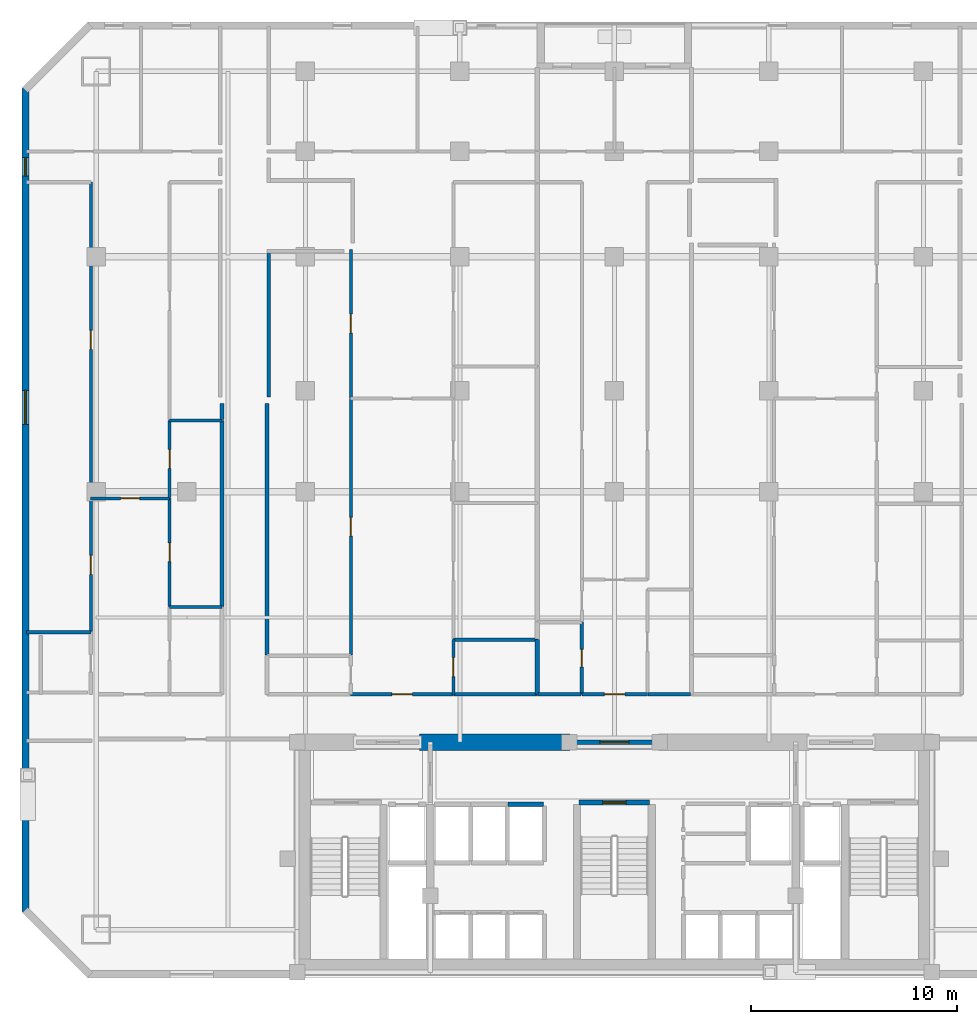
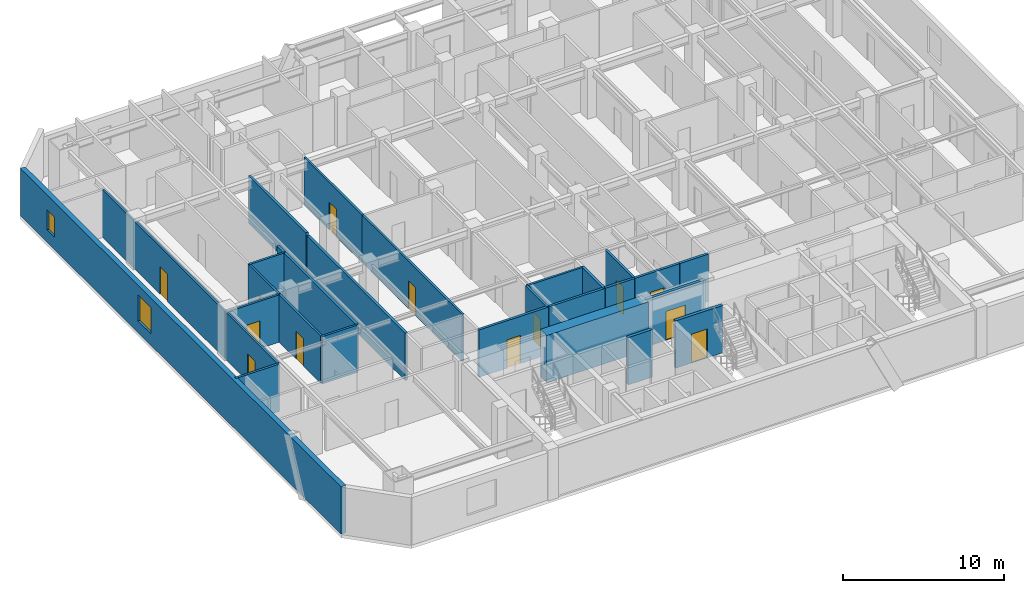
# One storey, part 4 of 10: 28 walls, 13 doors, 2 windows, 15 openings.
"""IFC4 building model written with IfcOpenShell, lengths in metres."""

from ifc_helpers import new_model, si_unit, direction, frame, frame_2d, origin, place, context, subcontext, project, spatial, rectangle, extrude, material, layer, layer_set, type_object, element, fill, save


model = new_model("IFC4")

# Units and contexts
model_context = context("Model", 3, precision=1e-05, world=origin(), true_north=direction((0.0, 1.0)))
body_context = subcontext(model_context, "Body", "Model", "MODEL_VIEW")
ifc_project = project(units=[si_unit("LENGTHUNIT", "METRE"), si_unit("AREAUNIT", "SQUARE_METRE"), si_unit("VOLUMEUNIT", "CUBIC_METRE"), si_unit("PLANEANGLEUNIT", "RADIAN"), si_unit("MASSUNIT", "GRAM", prefix="KILO")], contexts=[model_context])

# Site, building, storey
site_placement = place(None, origin())
site = spatial("IfcSite", under=ifc_project, at=site_placement, CompositionType="ELEMENT")
building_placement = place(site_placement, origin())
building = spatial("IfcBuilding", under=site, at=building_placement, Name="Ventersveld Concourse Tower", CompositionType="ELEMENT")
storey_placement = place(building_placement, frame((0.0, 0.0, 41.35009765625)))
storey = spatial("IfcBuildingStorey", under=building, at=storey_placement, Name="L09", CompositionType="ELEMENT", Elevation=41.35009765625)

# Walls
ifc_material_1 = material(Name="Concrete C60/75", Category="concrete")
ifc_layer_1 = layer(ifc_material_1, 0.800048828125)
ifc_layer_set_1 = layer_set([ifc_layer_1], Name="Concrete C60/75")
wall_type_1 = type_object("IfcWallType", Name="WL-CORE-800", PredefinedType="SHEAR", material=ifc_layer_set_1)
wall_1_placement = place(storey_placement, frame((19.300048828125, 11.449951171875, 0.0), z_axis=(0.0, 0.0, 1.0), x_axis=(1.0, 0.0, 0.0)))
element("IfcWall", 1, at=wall_1_placement, inside=storey, type_object=wall_type_1, Name="L09 Rear Core North Shear Wall NML", PredefinedType="SHEAR", context=body_context, shape_type="SweptSolid", body=[
    extrude(rectangle(XDim=7.300048828125, YDim=0.800048828125, at=frame_2d((3.64990234375, 0.0))), origin(), (0.0, 0.0, 1.0), 3.599853515625),
])
ifc_material_2 = material(Name="Fire-rated autoclaved aerated masonry blockwork", Category="masonry")
ifc_layer_2 = layer(ifc_material_2, 0.179931640625)
ifc_layer_set_2 = layer_set([ifc_layer_2], Name="Fire-rated autoclaved aerated masonry blockwork")
wall_type_2 = type_object("IfcWallType", Name="WL-CORR-180", PredefinedType="PARTITIONING", material=ifc_layer_set_2)
wall_2_placement = place(storey_placement, frame((9.7099609375, 18.04052734375, 0.0), z_axis=(0.0, 0.0, 1.0), x_axis=(0.0, 1.0, 0.0)))
element("IfcWall", 2, at=wall_2_placement, inside=storey, type_object=wall_type_2, Name="L09 Interior Partition SP-L09-COR-SP-L09-09NW-DENR", PredefinedType="PARTITIONING", context=body_context, shape_type="SweptSolid", body=[
    extrude(rectangle(XDim=9.024169921875, YDim=0.179931640625, at=frame_2d((4.51220703125, 0.0))), origin(), (0.0, 0.0, 1.0), 3.599853515625),
])
wall_3_placement = place(storey_placement, frame((9.7099609375, 27.0947265625, 0.0), z_axis=(0.0, 0.0, 1.0), x_axis=(0.0, 1.0, 0.0)))
element("IfcWall", 3, at=wall_3_placement, inside=storey, type_object=wall_type_2, Name="L09 Interior Partition SP-L09-COR-SP-L09-09NW-DENS", PredefinedType="PARTITIONING", context=body_context, shape_type="SweptSolid", body=[
    extrude(rectangle(XDim=0.80029296875, YDim=0.179931640625, at=frame_2d((0.400146484375, 0.0))), origin(), (0.0, 0.0, 1.0), 3.599853515625),
])

# Wall, opening, door
wall_4_placement = place(storey_placement, frame((15.955078125, 13.77001953125, 0.0), z_axis=(0.0, 0.0, 1.0), x_axis=(1.0, 0.0, 0.0)))
wall_4 = element("IfcWall", 4, at=wall_4_placement, inside=storey, type_object=wall_type_2, Name="L09 Interior Partition SP-L09-COR-SP-L09-09CW-FOY", PredefinedType="PARTITIONING", context=body_context, shape_type="SweptSolid", body=[
    extrude(rectangle(XDim=4.989990234375, YDim=0.179931640625, at=frame_2d((2.4951171875, 0.0))), origin(), (0.0, 0.0, 1.0), 3.599853515625),
])
opening_1_placement = place(wall_4_placement, frame((1.9951171875, 0.0, 0.0)))
opening_1 = element("IfcOpeningElement", 5, at=opening_1_placement, cuts=wall_4, Name="Opening FD3", PredefinedType="OPENING", context=body_context, shape_type="SweptSolid", body=[
    extrude(rectangle(XDim=1.0, YDim=2.14990234375, at=frame_2d((0.5, 1.074951171875))), frame((0.0, 0.10009765625, 0.0), z_axis=(0.0, -1.0, 0.0), x_axis=(1.0, 0.0, 0.0)), (0.0, 0.0, 1.0), 0.199951171875),
])
ifc_material_3 = material(Name="Solid-core hardwood veneer timber", Category="wood")
door_type_1 = type_object("IfcDoorType", Name="DR-FLAT-100", OperationType="NOTDEFINED", PredefinedType="DOOR", material=ifc_material_3)
door_1_placement = place(opening_1_placement, origin())
door_1 = element("IfcDoor", 6, at=door_1_placement, inside=storey, type_object=door_type_1, Name="L09 Interior Door SP-L09-COR to SP-L09-09CW-FOY (FD-L09-0310)", OperationType="SINGLE_SWING_RIGHT", OverallHeight=2.14990234375, OverallWidth=1.0, PredefinedType="DOOR", context=body_context, shape_type="SweptSolid", body=[
    extrude(rectangle(XDim=1.0, YDim=2.14990234375, at=frame_2d((0.5, 1.074951171875))), frame((0.0, 0.02490234375, 0.0), z_axis=(0.0, -1.0, 0.0), x_axis=(1.0, 0.0, 0.0)), (0.0, 0.0, 1.0), 0.050048828125),
])
fill(opening_1, door_1)

# Walls
wall_5_placement = place(storey_placement, frame((11.889892578125, 15.681640625, 0.0), z_axis=(0.0, 0.0, 1.0), x_axis=(0.0, 1.0, 0.0)))
element("IfcWall", 7, at=wall_5_placement, inside=storey, type_object=wall_type_2, Name="L09 Interior Partition SP-L09-COR-SP-L09-09CW-DENL", PredefinedType="PARTITIONING", context=body_context, shape_type="SweptSolid", body=[
    extrude(rectangle(XDim=12.21337890625, YDim=0.179931640625, at=frame_2d((6.106689453125, 0.0))), origin(), (0.0, 0.0, 1.0), 3.599853515625),
])
wall_6_placement = place(storey_placement, frame((20.97509765625, 13.77001953125, 0.0), z_axis=(0.0, 0.0, 1.0), x_axis=(1.0, 0.0, 0.0)))
element("IfcWall", 8, at=wall_6_placement, inside=storey, type_object=wall_type_2, Name="L09 Interior Partition SP-L09-COR-SP-L09-09CW-KIT", PredefinedType="PARTITIONING", context=body_context, shape_type="SweptSolid", body=[
    extrude(rectangle(XDim=4.039794921875, YDim=0.179931640625, at=frame_2d((2.02001953125, 0.0))), origin(), (0.0, 0.0, 1.0), 3.599853515625),
])

# Wall, opening, door
wall_7_placement = place(storey_placement, frame((27.171142578125, 13.77001953125, 0.0), z_axis=(0.0, 0.0, 1.0), x_axis=(1.0, 0.0, 0.0)))
wall_7 = element("IfcWall", 9, at=wall_7_placement, inside=storey, type_object=wall_type_2, Name="L09 Interior Partition SP-L09-COR-SP-L09-09CM-FOY", PredefinedType="PARTITIONING", context=body_context, shape_type="SweptSolid", body=[
    extrude(rectangle(XDim=3.18798828125, YDim=0.179931640625, at=frame_2d((1.593994140625, 0.0))), origin(), (0.0, 0.0, 1.0), 3.599853515625),
])
opening_2_placement = place(wall_7_placement, frame((1.093994140625, 0.0, 0.0)))
opening_2 = element("IfcOpeningElement", 10, at=opening_2_placement, cuts=wall_7, Name="Opening FD3", PredefinedType="OPENING", context=body_context, shape_type="SweptSolid", body=[
    extrude(rectangle(XDim=1.0, YDim=2.14990234375, at=frame_2d((0.5, 1.074951171875))), frame((0.0, 0.10009765625, 0.0), z_axis=(0.0, -1.0, 0.0), x_axis=(1.0, 0.0, 0.0)), (0.0, 0.0, 1.0), 0.199951171875),
])
door_2_placement = place(opening_2_placement, origin())
door_2 = element("IfcDoor", 11, at=door_2_placement, inside=storey, type_object=door_type_1, Name="L09 Interior Door SP-L09-COR to SP-L09-09CM-FOY (FD-L09-0312)", OperationType="SINGLE_SWING_RIGHT", OverallHeight=2.14990234375, OverallWidth=1.0, PredefinedType="DOOR", context=body_context, shape_type="SweptSolid", body=[
    extrude(rectangle(XDim=1.0, YDim=2.14990234375, at=frame_2d((0.5, 1.074951171875))), frame((0.0, 0.02490234375, 0.0), z_axis=(0.0, -1.0, 0.0), x_axis=(1.0, 0.0, 0.0)), (0.0, 0.0, 1.0), 0.050048828125),
])
fill(opening_2, door_2)

# Walls
wall_8_placement = place(storey_placement, frame((25.044921875, 13.77001953125, 0.0), z_axis=(0.0, 0.0, 1.0), x_axis=(1.0, 0.0, 0.0)))
element("IfcWall", 12, at=wall_8_placement, inside=storey, type_object=wall_type_2, Name="L09 Interior Partition SP-L09-COR-SP-L09-09CM-BATH", PredefinedType="PARTITIONING", context=body_context, shape_type="SweptSolid", body=[
    extrude(rectangle(XDim=2.09619140625, YDim=0.179931640625, at=frame_2d((1.048095703125, 0.0))), origin(), (0.0, 0.0, 1.0), 3.599853515625),
])
wall_9_placement = place(storey_placement, frame((30.38916015625, 13.77001953125, 0.0), z_axis=(0.0, 0.0, 1.0), x_axis=(1.0, 0.0, 0.0)))
element("IfcWall", 13, at=wall_9_placement, inside=storey, type_object=wall_type_2, Name="L09 Interior Partition SP-L09-COR-SP-L09-09CM-KIT", PredefinedType="PARTITIONING", context=body_context, shape_type="SweptSolid", body=[
    extrude(rectangle(XDim=2.06591796875, YDim=0.179931640625, at=frame_2d((1.032958984375, 0.0))), origin(), (0.0, 0.0, 1.0), 3.599853515625),
])
wall_10_placement = place(storey_placement, frame((11.97998046875, 28.2099609375, 0.0), z_axis=(0.0, 0.0, 1.0), x_axis=(0.0, 1.0, 0.0)))
element("IfcWall", 14, at=wall_10_placement, inside=storey, type_object=wall_type_2, Name="L09 Room Enclosure Wall SP-L09-09CW-DENL", PredefinedType="PARTITIONING", context=body_context, shape_type="SweptSolid", body=[
    extrude(rectangle(XDim=7.158935546875, YDim=0.179931640625, at=frame_2d((3.57958984375, 0.0))), origin(), (0.0, 0.0, 1.0), 3.599853515625),
])
ifc_layer_3 = layer(ifc_material_2, 0.199951171875)
ifc_layer_set_3 = layer_set([ifc_layer_3], Name="Fire-rated autoclaved aerated masonry blockwork")
wall_type_3 = type_object("IfcWallType", Name="WL-DEMISE-200", PredefinedType="PARTITIONING", material=ifc_layer_set_3)
wall_11_placement = place(storey_placement, frame((25.010009765625, 13.764892578125, 0.0), z_axis=(0.0, 0.0, 1.0), x_axis=(0.0, 1.0, 0.0)))
element("IfcWall", 15, at=wall_11_placement, inside=storey, type_object=wall_type_3, Name="L09 Interior Partition SP-L09-09CW-KIT-SP-L09-09CM-BATH", PredefinedType="PARTITIONING", context=body_context, shape_type="SweptSolid", body=[
    extrude(rectangle(XDim=2.657958984375, YDim=0.199951171875, at=frame_2d((1.3291015625, 0.0))), origin(), (0.0, 0.0, 1.0), 3.599853515625),
])
ifc_layer_4 = layer(ifc_material_2, 0.219970703125)
ifc_layer_set_4 = layer_set([ifc_layer_4], Name="Fire-rated autoclaved aerated masonry blockwork")
wall_type_4 = type_object("IfcWallType", Name="WL-HOIST-220", PredefinedType="SOLIDWALL", material=ifc_layer_set_4)
wall_12_placement = place(storey_placement, frame((23.580078125, 8.429931640625, 0.0), z_axis=(0.0, 0.0, 1.0), x_axis=(1.0, 0.0, 0.0)))
element("IfcWall", 16, at=wall_12_placement, inside=storey, type_object=wall_type_4, Name="L09 Lift Hoistway Front Wall PH-03", PredefinedType="SOLIDWALL", context=body_context, shape_type="SweptSolid", body=[
    extrude(rectangle(XDim=1.739990234375, YDim=0.219970703125, at=frame_2d((0.8701171875, 0.0))), origin(), (0.0, 0.0, 1.0), 3.599853515625),
])

# Wall, opening, door
wall_13_placement = place(storey_placement, frame((27.0400390625, 8.52001953125, 0.0), z_axis=(0.0, 0.0, 1.0), x_axis=(1.0, 0.0, 0.0)))
wall_13 = element("IfcWall", 17, at=wall_13_placement, inside=storey, type_object=wall_type_4, Name="L09 Escape Stair ST03 Fire Wall", PredefinedType="SOLIDWALL", context=body_context, shape_type="SweptSolid", body=[
    extrude(rectangle(XDim=3.419921875, YDim=0.219970703125, at=frame_2d((1.7099609375, 0.0))), origin(), (0.0, 0.0, 1.0), 3.599853515625),
])
opening_3_placement = place(wall_13_placement, frame((1.135009765625, 0.0, 0.0)))
opening_3 = element("IfcOpeningElement", 18, at=opening_3_placement, cuts=wall_13, Name="Opening FD1", PredefinedType="OPENING", context=body_context, shape_type="SweptSolid", body=[
    extrude(rectangle(XDim=1.14990234375, YDim=2.199951171875, at=frame_2d((0.574951171875, 1.10009765625))), frame((0.0, 0.1201171875, 0.0), z_axis=(0.0, -1.0, 0.0), x_axis=(1.0, 0.0, 0.0)), (0.0, 0.0, 1.0), 0.239990234375),
])
ifc_material_4 = material(Name="Galvanised painted steel", Category="steel")
door_type_2 = type_object("IfcDoorType", Name="DR-STAIR-115", OperationType="NOTDEFINED", PredefinedType="DOOR", material=ifc_material_4)
door_3_placement = place(opening_3_placement, origin())
door_3 = element("IfcDoor", 19, at=door_3_placement, inside=storey, type_object=door_type_2, Name="L09 Escape Stair Door ST03 (SD-L09-0297)", OperationType="SINGLE_SWING_LEFT", OverallHeight=2.199951171875, OverallWidth=1.14990234375, PredefinedType="DOOR", context=body_context, shape_type="SweptSolid", body=[
    extrude(rectangle(XDim=1.14990234375, YDim=2.199951171875, at=frame_2d((0.574951171875, 1.10009765625))), frame((0.0, 0.02490234375, 0.0), z_axis=(0.0, -1.0, 0.0), x_axis=(1.0, 0.0, 0.0)), (0.0, 0.0, 1.0), 0.050048828125),
])
fill(opening_3, door_3)

wall_14_placement = place(storey_placement, frame((26.6298828125, 11.449951171875, 0.0), z_axis=(0.0, 0.0, 1.0), x_axis=(1.0, 0.0, 0.0)))
wall_14 = element("IfcWall", 20, at=wall_14_placement, inside=storey, type_object=wall_type_4, Name="L09 Core North Fire Portal PLOB-OUT", PredefinedType="SOLIDWALL", context=body_context, shape_type="SweptSolid", body=[
    extrude(rectangle(XDim=4.240234375, YDim=0.219970703125, at=frame_2d((2.1201171875, 0.0))), origin(), (0.0, 0.0, 1.0), 3.599853515625),
])
opening_4_placement = place(wall_14_placement, frame((1.419921875, 0.0, 0.0)))
opening_4 = element("IfcOpeningElement", 21, at=opening_4_placement, cuts=wall_14, Name="Opening FD4", PredefinedType="OPENING", context=body_context, shape_type="SweptSolid", body=[
    extrude(rectangle(XDim=1.39990234375, YDim=2.199951171875, at=frame_2d((0.699951171875, 1.10009765625))), frame((0.0, 0.1201171875, 0.0), z_axis=(0.0, -1.0, 0.0), x_axis=(1.0, 0.0, 0.0)), (0.0, 0.0, 1.0), 0.239990234375),
])
door_type_3 = type_object("IfcDoorType", Name="DR-PLANT-140", OperationType="DOUBLE_DOOR_SINGLE_SWING", PredefinedType="DOOR", material=ifc_material_4)
door_4_placement = place(opening_4_placement, origin())
door_4 = element("IfcDoor", 22, at=door_4_placement, inside=storey, type_object=door_type_3, Name="L09 Core Lobby Fire Door PLOB-OUT (FD-L09-0301)", OperationType="DOUBLE_DOOR_SINGLE_SWING", OverallHeight=2.199951171875, OverallWidth=1.39990234375, PredefinedType="DOOR", context=body_context, shape_type="SweptSolid", body=[
    extrude(rectangle(XDim=1.39990234375, YDim=2.199951171875, at=frame_2d((0.699951171875, 1.10009765625))), frame((0.0, 0.02490234375, 0.0), z_axis=(0.0, -1.0, 0.0), x_axis=(1.0, 0.0, 0.0)), (0.0, 0.0, 1.0), 0.050048828125),
])
fill(opening_4, door_4)

ifc_material_5 = material(Name="Autoclaved aerated masonry blockwork", Category="masonry")
ifc_layer_5 = layer(ifc_material_5, 0.14990234375)
ifc_layer_set_5 = layer_set([ifc_layer_5], Name="Autoclaved aerated masonry blockwork")
wall_type_5 = type_object("IfcWallType", Name="WL-INT-150", PredefinedType="PARTITIONING", material=ifc_layer_set_5)
wall_15_placement = place(storey_placement, frame((3.3359375, 23.2822265625, 0.0), z_axis=(0.0, 0.0, 1.0), x_axis=(1.0, 0.0, 0.0)))
wall_15 = element("IfcWall", 23, at=wall_15_placement, inside=storey, type_object=wall_type_5, Name="L09 Interior Partition SP-L09-09NW-FOY-SP-L09-09NW-LIV", PredefinedType="PARTITIONING", context=body_context, shape_type="SweptSolid", body=[
    extrude(rectangle(XDim=3.83203125, YDim=0.14990234375, at=frame_2d((1.916015625, 0.0))), origin(), (0.0, 0.0, 1.0), 3.599853515625),
])
opening_5_placement = place(wall_15_placement, frame((1.4560546875, 0.0, 0.0)))
opening_5 = element("IfcOpeningElement", 24, at=opening_5_placement, cuts=wall_15, Name="Opening ID1", PredefinedType="OPENING", context=body_context, shape_type="SweptSolid", body=[
    extrude(rectangle(XDim=0.919921875, YDim=2.10009765625, at=frame_2d((0.4599609375, 1.050048828125))), frame((0.0, 0.0849609375, 0.0), z_axis=(0.0, -1.0, 0.0), x_axis=(1.0, 0.0, 0.0)), (0.0, 0.0, 1.0), 0.169921875),
])
door_type_4 = type_object("IfcDoorType", Name="DR-ROOM-092", OperationType="NOTDEFINED", PredefinedType="DOOR", material=ifc_material_3)
door_5_placement = place(opening_5_placement, origin())
door_5 = element("IfcDoor", 25, at=door_5_placement, inside=storey, type_object=door_type_4, Name="L09 Interior Door SP-L09-09NW-FOY to SP-L09-09NW-LIV (D-L09-0313)", OperationType="SINGLE_SWING_LEFT", OverallHeight=2.10009765625, OverallWidth=0.919921875, PredefinedType="DOOR", context=body_context, shape_type="SweptSolid", body=[
    extrude(rectangle(XDim=0.919921875, YDim=2.10009765625, at=frame_2d((0.4599609375, 1.050048828125))), frame((0.0, 0.02490234375, 0.0), z_axis=(0.0, -1.0, 0.0), x_axis=(1.0, 0.0, 0.0)), (0.0, 0.0, 1.0), 0.050048828125),
])
fill(opening_5, door_5)

wall_16_placement = place(storey_placement, frame((3.3408203125, 16.81640625, 0.0), z_axis=(0.0, 0.0, 1.0), x_axis=(0.0, 1.0, 0.0)))
wall_16 = element("IfcWall", 26, at=wall_16_placement, inside=storey, type_object=wall_type_5, Name="L09 Interior Partition SP-L09-09NW-FOY-SP-L09-09NW-MEDL0", PredefinedType="PARTITIONING", context=body_context, shape_type="SweptSolid", body=[
    extrude(rectangle(XDim=6.470703125, YDim=0.14990234375, at=frame_2d((3.2353515625, 0.0))), origin(), (0.0, 0.0, 1.0), 3.599853515625),
])
opening_6_placement = place(wall_16_placement, frame((2.775390625, 0.0, 0.0)))
opening_6 = element("IfcOpeningElement", 27, at=opening_6_placement, cuts=wall_16, Name="Opening ID1", PredefinedType="OPENING", context=body_context, shape_type="SweptSolid", body=[
    extrude(rectangle(XDim=0.919921875, YDim=2.10009765625, at=frame_2d((0.4599609375, 1.050048828125))), frame((0.0, 0.0849609375, 0.0), z_axis=(0.0, -1.0, 0.0), x_axis=(1.0, 0.0, 0.0)), (0.0, 0.0, 1.0), 0.169921875),
])
door_6_placement = place(opening_6_placement, origin())
door_6 = element("IfcDoor", 28, at=door_6_placement, inside=storey, type_object=door_type_4, Name="L09 Interior Door SP-L09-09NW-FOY to SP-L09-09NW-MEDL0 (D-L09-0315)", OperationType="SINGLE_SWING_LEFT", OverallHeight=2.10009765625, OverallWidth=0.919921875, PredefinedType="DOOR", context=body_context, shape_type="SweptSolid", body=[
    extrude(rectangle(XDim=0.919921875, YDim=2.10009765625, at=frame_2d((0.4599609375, 1.050048828125))), frame((0.0, 0.02490234375, 0.0), z_axis=(0.0, -1.0, 0.0), x_axis=(1.0, 0.0, 0.0)), (0.0, 0.0, 1.0), 0.050048828125),
])
fill(opening_6, door_6)

wall_17_placement = place(storey_placement, frame((7.162841796875, 18.04052734375, 0.0), z_axis=(0.0, 0.0, 1.0), x_axis=(0.0, 1.0, 0.0)))
wall_17 = element("IfcWall", 29, at=wall_17_placement, inside=storey, type_object=wall_type_5, Name="L09 Interior Partition SP-L09-09NW-FOY-SP-L09-09NW-DENR", PredefinedType="PARTITIONING", context=body_context, shape_type="SweptSolid", body=[
    extrude(rectangle(XDim=5.24658203125, YDim=0.14990234375, at=frame_2d((2.623291015625, 0.0))), origin(), (0.0, 0.0, 1.0), 3.599853515625),
])
opening_7_placement = place(wall_17_placement, frame((2.163330078125, 0.0, 0.0)))
opening_7 = element("IfcOpeningElement", 30, at=opening_7_placement, cuts=wall_17, Name="Opening ID1", PredefinedType="OPENING", context=body_context, shape_type="SweptSolid", body=[
    extrude(rectangle(XDim=0.919921875, YDim=2.10009765625, at=frame_2d((0.4599609375, 1.050048828125))), frame((0.0, 0.0849609375, 0.0), z_axis=(0.0, -1.0, 0.0), x_axis=(1.0, 0.0, 0.0)), (0.0, 0.0, 1.0), 0.169921875),
])
door_7_placement = place(opening_7_placement, origin())
door_7 = element("IfcDoor", 31, at=door_7_placement, inside=storey, type_object=door_type_4, Name="L09 Interior Door SP-L09-09NW-FOY to SP-L09-09NW-DENR (D-L09-0317)", OperationType="SINGLE_SWING_LEFT", OverallHeight=2.10009765625, OverallWidth=0.919921875, PredefinedType="DOOR", context=body_context, shape_type="SweptSolid", body=[
    extrude(rectangle(XDim=0.919921875, YDim=2.10009765625, at=frame_2d((0.4599609375, 1.050048828125))), frame((0.0, 0.02490234375, 0.0), z_axis=(0.0, -1.0, 0.0), x_axis=(1.0, 0.0, 0.0)), (0.0, 0.0, 1.0), 0.050048828125),
])
fill(opening_7, door_7)

wall_18_placement = place(storey_placement, frame((3.3408203125, 23.317138671875, 0.0), z_axis=(0.0, 0.0, 1.0), x_axis=(0.0, 1.0, 0.0)))
wall_18 = element("IfcWall", 32, at=wall_18_placement, inside=storey, type_object=wall_type_5, Name="L09 Interior Partition SP-L09-09NW-LIV-SP-L09-09NW-MEDL0", PredefinedType="PARTITIONING", context=body_context, shape_type="SweptSolid", body=[
    extrude(rectangle(XDim=15.307861328125, YDim=0.14990234375, at=frame_2d((7.65380859375, 0.0))), origin(), (0.0, 0.0, 1.0), 3.599853515625),
])
opening_8_placement = place(wall_18_placement, frame((7.19384765625, 0.0, 0.0)))
opening_8 = element("IfcOpeningElement", 33, at=opening_8_placement, cuts=wall_18, Name="Opening ID1", PredefinedType="OPENING", context=body_context, shape_type="SweptSolid", body=[
    extrude(rectangle(XDim=0.919921875, YDim=2.10009765625, at=frame_2d((0.4599609375, 1.050048828125))), frame((0.0, 0.0849609375, 0.0), z_axis=(0.0, -1.0, 0.0), x_axis=(1.0, 0.0, 0.0)), (0.0, 0.0, 1.0), 0.169921875),
])
door_8_placement = place(opening_8_placement, origin())
door_8 = element("IfcDoor", 34, at=door_8_placement, inside=storey, type_object=door_type_4, Name="L09 Interior Door SP-L09-09NW-LIV to SP-L09-09NW-MEDL0 (D-L09-0318)", OperationType="SINGLE_SWING_RIGHT", OverallHeight=2.10009765625, OverallWidth=0.919921875, PredefinedType="DOOR", context=body_context, shape_type="SweptSolid", body=[
    extrude(rectangle(XDim=0.919921875, YDim=2.10009765625, at=frame_2d((0.4599609375, 1.050048828125))), frame((0.0, 0.02490234375, 0.0), z_axis=(0.0, -1.0, 0.0), x_axis=(1.0, 0.0, 0.0)), (0.0, 0.0, 1.0), 0.050048828125),
])
fill(opening_8, door_8)

wall_19_placement = place(storey_placement, frame((7.162841796875, 23.317138671875, 0.0), z_axis=(0.0, 0.0, 1.0), x_axis=(0.0, 1.0, 0.0)))
wall_19 = element("IfcWall", 35, at=wall_19_placement, inside=storey, type_object=wall_type_5, Name="L09 Interior Partition SP-L09-09NW-LIV-SP-L09-09NW-DENR", PredefinedType="PARTITIONING", context=body_context, shape_type="SweptSolid", body=[
    extrude(rectangle(XDim=3.74755859375, YDim=0.14990234375, at=frame_2d((1.873779296875, 0.0))), origin(), (0.0, 0.0, 1.0), 3.599853515625),
])
opening_9_placement = place(wall_19_placement, frame((1.413818359375, 0.0, 0.0)))
opening_9 = element("IfcOpeningElement", 36, at=opening_9_placement, cuts=wall_19, Name="Opening ID1", PredefinedType="OPENING", context=body_context, shape_type="SweptSolid", body=[
    extrude(rectangle(XDim=0.919921875, YDim=2.10009765625, at=frame_2d((0.4599609375, 1.050048828125))), frame((0.0, 0.0849609375, 0.0), z_axis=(0.0, -1.0, 0.0), x_axis=(1.0, 0.0, 0.0)), (0.0, 0.0, 1.0), 0.169921875),
])
door_9_placement = place(opening_9_placement, origin())
door_9 = element("IfcDoor", 37, at=door_9_placement, inside=storey, type_object=door_type_4, Name="L09 Interior Door SP-L09-09NW-LIV to SP-L09-09NW-DENR (D-L09-0319)", OperationType="SINGLE_SWING_LEFT", OverallHeight=2.10009765625, OverallWidth=0.919921875, PredefinedType="DOOR", context=body_context, shape_type="SweptSolid", body=[
    extrude(rectangle(XDim=0.919921875, YDim=2.10009765625, at=frame_2d((0.4599609375, 1.050048828125))), frame((0.0, 0.02490234375, 0.0), z_axis=(0.0, -1.0, 0.0), x_axis=(1.0, 0.0, 0.0)), (0.0, 0.0, 1.0), 0.050048828125),
])
fill(opening_9, door_9)

# Walls
for number, where, z_axis, x_axis, name in (
    (38, (7.157958984375, 18.005615234375, 0.0), (0.0, 0.0, 1.0), (1.0, 0.0, 0.0), "L09 Interior Partition SP-L09-09NW-KIT-SP-L09-09NW-DENR"),
    (39, (7.157958984375, 27.059814453125, 0.0), (0.0, 0.0, 1.0), (1.0, 0.0, 0.0), "L09 Interior Partition SP-L09-09NW-DENR-SP-L09-09NW-DENS"),
):
    element("IfcWall", number, at=place(storey_placement, frame(where, z_axis=z_axis, x_axis=x_axis)), inside=storey, type_object=wall_type_5, Name=name, PredefinedType="PARTITIONING", context=body_context, shape_type="SweptSolid", body=[
        extrude(rectangle(XDim=2.55712890625, YDim=0.14990234375, at=frame_2d((1.278564453125, 0.0))), origin(), (0.0, 0.0, 1.0), 3.599853515625),
    ])

# Wall, opening, door
wall_20_placement = place(storey_placement, frame((15.9599609375, 15.681640625, 0.0), z_axis=(0.0, 0.0, 1.0), x_axis=(0.0, 1.0, 0.0)))
wall_20 = element("IfcWall", 40, at=wall_20_placement, inside=storey, type_object=wall_type_5, Name="L09 Interior Partition SP-L09-09CW-FOY-SP-L09-09CW-DENL", PredefinedType="PARTITIONING", context=body_context, shape_type="SweptSolid", body=[
    extrude(rectangle(XDim=12.43994140625, YDim=0.14990234375, at=frame_2d((6.219970703125, 0.0))), origin(), (0.0, 0.0, 1.0), 3.599853515625),
])
opening_10_placement = place(wall_20_placement, frame((5.760009765625, 0.0, 0.0)))
opening_10 = element("IfcOpeningElement", 41, at=opening_10_placement, cuts=wall_20, Name="Opening ID1", PredefinedType="OPENING", context=body_context, shape_type="SweptSolid", body=[
    extrude(rectangle(XDim=0.919921875, YDim=2.10009765625, at=frame_2d((0.4599609375, 1.050048828125))), frame((0.0, 0.0849609375, 0.0), z_axis=(0.0, -1.0, 0.0), x_axis=(1.0, 0.0, 0.0)), (0.0, 0.0, 1.0), 0.169921875),
])
door_10_placement = place(opening_10_placement, origin())
door_10 = element("IfcDoor", 42, at=door_10_placement, inside=storey, type_object=door_type_4, Name="L09 Interior Door SP-L09-09CW-FOY to SP-L09-09CW-DENL (D-L09-0334)", OperationType="SINGLE_SWING_RIGHT", OverallHeight=2.10009765625, OverallWidth=0.919921875, PredefinedType="DOOR", context=body_context, shape_type="SweptSolid", body=[
    extrude(rectangle(XDim=0.919921875, YDim=2.10009765625, at=frame_2d((0.4599609375, 1.050048828125))), frame((0.0, 0.02490234375, 0.0), z_axis=(0.0, -1.0, 0.0), x_axis=(1.0, 0.0, 0.0)), (0.0, 0.0, 1.0), 0.050048828125),
])
fill(opening_10, door_10)

wall_21_placement = place(storey_placement, frame((20.93994140625, 13.764892578125, 0.0), z_axis=(0.0, 0.0, 1.0), x_axis=(0.0, 1.0, 0.0)))
wall_21 = element("IfcWall", 43, at=wall_21_placement, inside=storey, type_object=wall_type_5, Name="L09 Interior Partition SP-L09-09CW-FOY-SP-L09-09CW-KIT", PredefinedType="PARTITIONING", context=body_context, shape_type="SweptSolid", body=[
    extrude(rectangle(XDim=2.657958984375, YDim=0.14990234375, at=frame_2d((1.3291015625, 0.0))), origin(), (0.0, 0.0, 1.0), 3.599853515625),
])
opening_11_placement = place(wall_21_placement, frame((0.868896484375, 0.0, 0.0)))
opening_11 = element("IfcOpeningElement", 44, at=opening_11_placement, cuts=wall_21, Name="Opening ID1", PredefinedType="OPENING", context=body_context, shape_type="SweptSolid", body=[
    extrude(rectangle(XDim=0.919921875, YDim=2.10009765625, at=frame_2d((0.4599609375, 1.050048828125))), frame((0.0, 0.0849609375, 0.0), z_axis=(0.0, -1.0, 0.0), x_axis=(1.0, 0.0, 0.0)), (0.0, 0.0, 1.0), 0.169921875),
])
door_11_placement = place(opening_11_placement, origin())
door_11 = element("IfcDoor", 45, at=door_11_placement, inside=storey, type_object=door_type_4, Name="L09 Interior Door SP-L09-09CW-FOY to SP-L09-09CW-KIT (D-L09-0335)", OperationType="SINGLE_SWING_LEFT", OverallHeight=2.10009765625, OverallWidth=0.919921875, PredefinedType="DOOR", context=body_context, shape_type="SweptSolid", body=[
    extrude(rectangle(XDim=0.919921875, YDim=2.10009765625, at=frame_2d((0.4599609375, 1.050048828125))), frame((0.0, 0.02490234375, 0.0), z_axis=(0.0, -1.0, 0.0), x_axis=(1.0, 0.0, 0.0)), (0.0, 0.0, 1.0), 0.050048828125),
])
fill(opening_11, door_11)

wall_22_placement = place(storey_placement, frame((15.9599609375, 28.151611328125, 0.0), z_axis=(0.0, 0.0, 1.0), x_axis=(0.0, 1.0, 0.0)))
wall_22 = element("IfcWall", 46, at=wall_22_placement, inside=storey, type_object=wall_type_5, Name="L09 Interior Partition SP-L09-09CW-LIV-SP-L09-09CW-DENL", PredefinedType="PARTITIONING", context=body_context, shape_type="SweptSolid", body=[
    extrude(rectangle(XDim=7.21728515625, YDim=0.14990234375, at=frame_2d((3.608642578125, 0.0))), origin(), (0.0, 0.0, 1.0), 3.599853515625),
])
opening_12_placement = place(wall_22_placement, frame((3.148681640625, 0.0, 0.0)))
opening_12 = element("IfcOpeningElement", 47, at=opening_12_placement, cuts=wall_22, Name="Opening ID1", PredefinedType="OPENING", context=body_context, shape_type="SweptSolid", body=[
    extrude(rectangle(XDim=0.919921875, YDim=2.10009765625, at=frame_2d((0.4599609375, 1.050048828125))), frame((0.0, 0.0849609375, 0.0), z_axis=(0.0, -1.0, 0.0), x_axis=(1.0, 0.0, 0.0)), (0.0, 0.0, 1.0), 0.169921875),
])
door_12_placement = place(opening_12_placement, origin())
door_12 = element("IfcDoor", 48, at=door_12_placement, inside=storey, type_object=door_type_4, Name="L09 Interior Door SP-L09-09CW-LIV to SP-L09-09CW-DENL (D-L09-0338)", OperationType="SINGLE_SWING_RIGHT", OverallHeight=2.10009765625, OverallWidth=0.919921875, PredefinedType="DOOR", context=body_context, shape_type="SweptSolid", body=[
    extrude(rectangle(XDim=0.919921875, YDim=2.10009765625, at=frame_2d((0.4599609375, 1.050048828125))), frame((0.0, 0.02490234375, 0.0), z_axis=(0.0, -1.0, 0.0), x_axis=(1.0, 0.0, 0.0)), (0.0, 0.0, 1.0), 0.050048828125),
])
fill(opening_12, door_12)

# Wall
wall_23_placement = place(storey_placement, frame((20.93505859375, 16.41796875, 0.0), z_axis=(0.0, 0.0, 1.0), x_axis=(1.0, 0.0, 0.0)))
element("IfcWall", 49, at=wall_23_placement, inside=storey, type_object=wall_type_5, Name="L09 Interior Partition SP-L09-09CW-KIT-SP-L09-09CW-DENR", PredefinedType="PARTITIONING", context=body_context, shape_type="SweptSolid", body=[
    extrude(rectangle(XDim=4.079833984375, YDim=0.14990234375, at=frame_2d((2.0400390625, 0.0))), origin(), (0.0, 0.0, 1.0), 3.599853515625),
])

# Wall, openings, windows
ifc_material_6 = material(Name="Precast concrete C45/55", Category="concrete")
ifc_layer_6 = layer(ifc_material_6, 0.35009765625)
ifc_layer_set_6 = layer_set([ifc_layer_6], Name="Precast concrete C45/55")
wall_type_6 = type_object("IfcWallType", Name="WL-PREC-350", PredefinedType="SOLIDWALL", material=ifc_layer_set_6)
wall_24_placement = place(storey_placement, frame((0.175048828125, 43.159912109375, 0.0), z_axis=(0.0, 0.0, 1.0), x_axis=(0.0, -1.0, 0.0)))
wall_24 = element("IfcWall", 50, at=wall_24_placement, inside=storey, type_object=wall_type_6, Name="L09 Highveld Precast Facade Wall E11", PredefinedType="SOLIDWALL", context=body_context, shape_type="SweptSolid", body=[
    extrude(rectangle(XDim=39.919921875, YDim=0.35009765625, at=frame_2d((19.9599609375, 0.0))), origin(), (0.0, 0.0, 1.0), 3.599853515625),
])
opening_13_placement = place(wall_24_placement, frame((3.340087890625, 0.0, 0.949951171875)))
opening_13 = element("IfcOpeningElement", 51, at=opening_13_placement, cuts=wall_24, Name="Opening W4", PredefinedType="OPENING", context=body_context, shape_type="SweptSolid", body=[
    extrude(rectangle(XDim=0.89990234375, YDim=1.5, at=frame_2d((0.449951171875, 0.75))), frame((0.0, 0.18505859375, 0.0), z_axis=(0.0, -1.0, 0.0), x_axis=(1.0, 0.0, 0.0)), (0.0, 0.0, 1.0), 0.3701171875),
])
opening_14_placement = place(wall_24_placement, frame((14.63427734375, 0.0, 0.8798828125)))
opening_14 = element("IfcOpeningElement", 52, at=opening_14_placement, cuts=wall_24, Name="Opening W6", PredefinedType="OPENING", context=body_context, shape_type="SweptSolid", body=[
    extrude(rectangle(XDim=1.64990234375, YDim=2.0, at=frame_2d((0.824951171875, 1.0))), frame((0.0, 0.18505859375, 0.0), z_axis=(0.0, -1.0, 0.0), x_axis=(1.0, 0.0, 0.0)), (0.0, 0.0, 1.0), 0.3701171875),
])
ifc_material_7 = material(Name="Tempered acoustic Low-E IGU", Category="glass")
window_type_1 = type_object("IfcWindowType", Name="WIN-090x150", PartitioningType="SINGLE_PANEL", PredefinedType="WINDOW", material=ifc_material_7)
window_1_placement = place(opening_13_placement, origin())
window_1 = element("IfcWindow", 53, at=window_1_placement, inside=storey, type_object=window_type_1, Name="L09 Punched Low-E Window W-0035", OverallHeight=1.5, OverallWidth=0.89990234375, PartitioningType="SINGLE_PANEL", PredefinedType="WINDOW", context=body_context, shape_type="SweptSolid", body=[
    extrude(rectangle(XDim=0.89990234375, YDim=1.5, at=frame_2d((0.449951171875, 0.75))), frame((0.0, 0.030029296875, 0.0), z_axis=(0.0, -1.0, 0.0), x_axis=(1.0, 0.0, 0.0)), (0.0, 0.0, 1.0), 0.06005859375),
])
fill(opening_13, window_1)
window_type_2 = type_object("IfcWindowType", Name="WIN-165x200", PartitioningType="SINGLE_PANEL", PredefinedType="WINDOW", material=ifc_material_7)
window_2_placement = place(opening_14_placement, origin())
window_2 = element("IfcWindow", 54, at=window_2_placement, inside=storey, type_object=window_type_2, Name="L09 Punched Low-E Window W-0036", OverallHeight=2.0, OverallWidth=1.64990234375, PartitioningType="SINGLE_PANEL", PredefinedType="WINDOW", context=body_context, shape_type="SweptSolid", body=[
    extrude(rectangle(XDim=1.64990234375, YDim=2.0, at=frame_2d((0.824951171875, 1.0))), frame((0.0, 0.030029296875, 0.0), z_axis=(0.0, -1.0, 0.0), x_axis=(1.0, 0.0, 0.0)), (0.0, 0.0, 1.0), 0.06005859375),
])
fill(opening_14, window_2)

# Wall
ifc_layer_7 = layer(ifc_material_5, 0.1650390625)
ifc_layer_set_7 = layer_set([ifc_layer_7], Name="Autoclaved aerated masonry blockwork")
wall_type_7 = type_object("IfcWallType", Name="WL-WET-165", PredefinedType="PLUMBINGWALL", material=ifc_layer_set_7)
wall_25_placement = place(storey_placement, frame((0.2099609375, 16.781494140625, 0.0), z_axis=(0.0, 0.0, 1.0), x_axis=(1.0, 0.0, 0.0)))
element("IfcWall", 55, at=wall_25_placement, inside=storey, type_object=wall_type_7, Name="L09 Interior Partition SP-L09-09NW-BATH-SP-L09-09NW-MEDL0", PredefinedType="PLUMBINGWALL", context=body_context, shape_type="SweptSolid", body=[
    extrude(rectangle(XDim=3.135986328125, YDim=0.1650390625, at=frame_2d((1.56787109375, 0.0))), origin(), (0.0, 0.0, 1.0), 3.599853515625),
])

# Wall, opening, door
wall_26_placement = place(storey_placement, frame((27.17626953125, 13.764892578125, 0.0), z_axis=(0.0, 0.0, 1.0), x_axis=(0.0, 1.0, 0.0)))
wall_26 = element("IfcWall", 56, at=wall_26_placement, inside=storey, type_object=wall_type_7, Name="L09 Interior Partition SP-L09-09CM-FOY-SP-L09-09CM-BATH", PredefinedType="PLUMBINGWALL", context=body_context, shape_type="SweptSolid", body=[
    extrude(rectangle(XDim=3.512939453125, YDim=0.1650390625, at=frame_2d((1.75634765625, 0.0))), origin(), (0.0, 0.0, 1.0), 3.599853515625),
])
opening_15_placement = place(wall_26_placement, frame((1.331298828125, 0.0, 0.0)))
opening_15 = element("IfcOpeningElement", 57, at=opening_15_placement, cuts=wall_26, Name="Opening ID2", PredefinedType="OPENING", context=body_context, shape_type="SweptSolid", body=[
    extrude(rectangle(XDim=0.85009765625, YDim=2.10009765625, at=frame_2d((0.425048828125, 1.050048828125))), frame((0.0, 0.092529296875, 0.0), z_axis=(0.0, -1.0, 0.0), x_axis=(1.0, 0.0, 0.0)), (0.0, 0.0, 1.0), 0.18505859375),
])
door_type_5 = type_object("IfcDoorType", Name="DR-BATH-085", OperationType="NOTDEFINED", PredefinedType="DOOR", material=ifc_material_3)
door_13_placement = place(opening_15_placement, origin())
door_13 = element("IfcDoor", 58, at=door_13_placement, inside=storey, type_object=door_type_5, Name="L09 Interior Door SP-L09-09CM-FOY to SP-L09-09CM-BATH (D-L09-0355)", OperationType="SINGLE_SWING_LEFT", OverallHeight=2.10009765625, OverallWidth=0.85009765625, PredefinedType="DOOR", context=body_context, shape_type="SweptSolid", body=[
    extrude(rectangle(XDim=0.85009765625, YDim=2.10009765625, at=frame_2d((0.425048828125, 1.050048828125))), frame((0.0, 0.02490234375, 0.0), z_axis=(0.0, -1.0, 0.0), x_axis=(1.0, 0.0, 0.0)), (0.0, 0.0, 1.0), 0.050048828125),
])
fill(opening_15, door_13)

save(model, "model.ifc")
